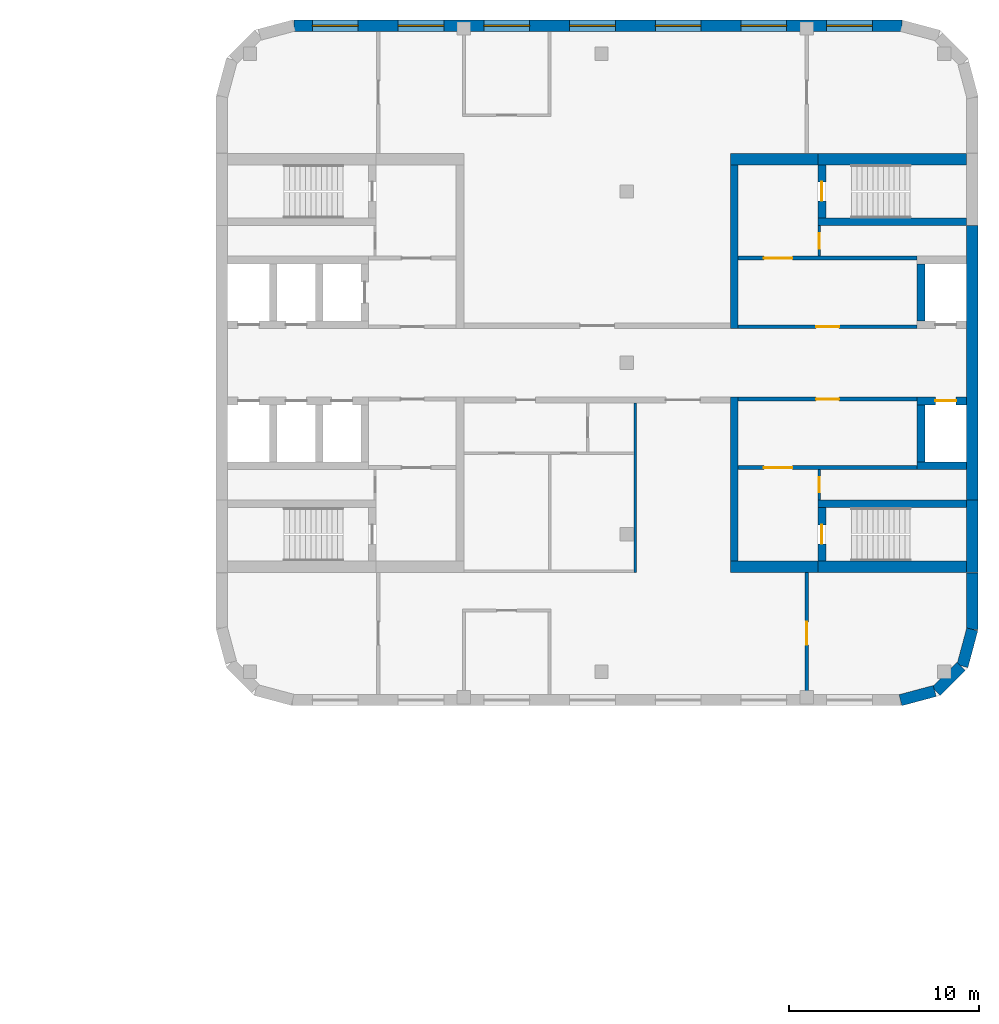
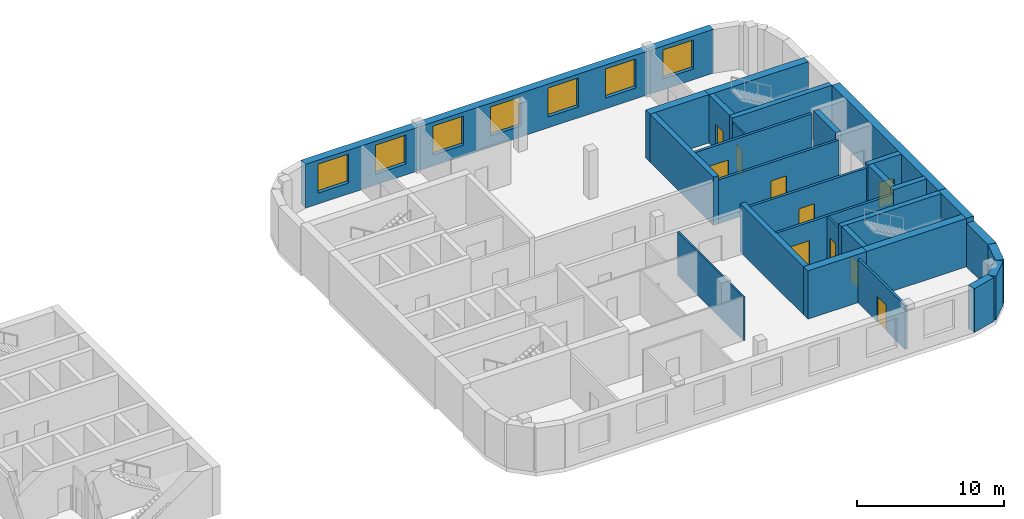
# One storey, part 9 of 16: 29 walls, 10 doors, 7 windows, 17 openings.
"""IFC4 building model written with IfcOpenShell, lengths in metres."""

import ifcopenshell
import ifcopenshell.guid

model = None  # the IFC model being written
_history = None  # IfcOwnerHistory: only IFC2X3 demands one
_inside = {}  # id of a spatial element -> (the spatial element, [elements in it])
_under = {}  # id of a project, library or spatial element -> (it, [spatial elements below it])
_declared = {}  # id of a project -> (the project, [libraries it declares])
_typed = {}  # id of a type object -> (the type object, [elements of that type])
_made_of = {}  # id of a material, layer set ... -> (it, [elements and type objects made of it])


def new_model(schema):
    """Start an empty IFC model of exactly this schema.

    Asked for "IFC4X3", IfcOpenShell would pick the latest addendum, in which some entities
    have other attributes; the version numbers below select the first issue.
    IFC2X3 requires an IfcOwnerHistory on every rooted entity: one is made here for all.
    """
    global model, _history
    if schema == "IFC4X3":
        model = ifcopenshell.file(schema_version=(4, 3, 0, 0))
    else:
        model = ifcopenshell.file(schema=schema)
    _inside.clear()
    _under.clear()
    _declared.clear()
    _typed.clear()
    _made_of.clear()
    _history = None
    if model.schema == "IFC2X3":
        org = make("IfcOrganization", Name="unknown")
        user = make(
            "IfcPersonAndOrganization",
            ThePerson=make("IfcPerson", FamilyName="unknown"),
            TheOrganization=org,
        )
        app = make(
            "IfcApplication",
            ApplicationDeveloper=org,
            Version="unknown",
            ApplicationFullName="unknown",
            ApplicationIdentifier="unknown",
        )
        _history = make(
            "IfcOwnerHistory",
            OwningUser=user,
            OwningApplication=app,
            ChangeAction="ADDED",
            CreationDate=0,
        )
    return model


def make(cls, **values):
    """One entity of the class cls with the attributes given. An attribute that is None is left unset."""
    return model.create_entity(
        cls, **{name: value for name, value in values.items() if value is not None}
    )


def rooted(cls, **values):
    """An entity with a GlobalId (a new one), such as an element, a storey or a relation."""
    return make(cls, GlobalId=ifcopenshell.guid.new(), OwnerHistory=_history, **values)


def si_unit(unit_type, name, prefix=None):
    """IfcSIUnit, for example si_unit("LENGTHUNIT", "METRE", prefix="MILLI")."""
    return make("IfcSIUnit", UnitType=unit_type, Prefix=prefix, Name=name)


def assignment(units):
    """IfcUnitAssignment: the units of a project."""
    return None if units is None else make("IfcUnitAssignment", Units=units)


def point(xyz):
    """IfcCartesianPoint."""
    return None if xyz is None else make("IfcCartesianPoint", Coordinates=xyz)


def direction(xyz):
    """IfcDirection."""
    return None if xyz is None else make("IfcDirection", DirectionRatios=xyz)


def frame(location, z_axis=None, x_axis=None):
    """IfcAxis2Placement3D, a coordinate frame: its origin and axes. An axis left out is left unset."""
    return make(
        "IfcAxis2Placement3D",
        Location=point(location),
        Axis=direction(z_axis),
        RefDirection=direction(x_axis),
    )


def frame_2d(location, x_axis=None):
    """IfcAxis2Placement2D, a coordinate frame in the plane: its origin and x axis."""
    return make(
        "IfcAxis2Placement2D", Location=point(location), RefDirection=direction(x_axis)
    )


def origin():
    """The frame at (0, 0, 0) with its axes left unset."""
    return frame((0.0, 0.0, 0.0))


def place(relative_to, where):
    """IfcLocalPlacement: puts the frame where relative to a parent placement (None: the world)."""
    return make(
        "IfcLocalPlacement", PlacementRelTo=relative_to, RelativePlacement=where
    )


def context(
    kind, dimensions, precision=None, world=None, true_north=None, identifier=None
):
    """IfcGeometricRepresentationContext, for example the 3D "Model" context."""
    return make(
        "IfcGeometricRepresentationContext",
        ContextIdentifier=identifier,
        ContextType=kind,
        CoordinateSpaceDimension=dimensions,
        Precision=precision,
        WorldCoordinateSystem=world,
        TrueNorth=true_north,
    )


def subcontext(parent, identifier, kind, view, scale=None):
    """IfcGeometricRepresentationSubContext, for example "Body" below "Model"."""
    return make(
        "IfcGeometricRepresentationSubContext",
        ContextIdentifier=identifier,
        ContextType=kind,
        ParentContext=parent,
        TargetScale=scale,
        TargetView=view,
    )


def project(units=None, contexts=None):
    """IfcProject with its units and contexts."""
    return rooted(
        "IfcProject",
        Name="project",
        RepresentationContexts=contexts,
        UnitsInContext=assignment(units),
    )


def spatial(cls, under=None, at=None, **own):
    """A site, building, storey or space (cls), placed at a placement, below another one or the project."""
    s = rooted(cls, ObjectPlacement=at, **own)
    if under is not None:
        _under.setdefault(under.id(), (under, []))[1].append(s)
    return s


def profile(cls, at=None, kind="AREA", **sizes):
    """A parametric profile (cls). Its sizes go by their IFC names, for example OverallWidth=200.0."""
    return make(cls, ProfileType=kind, Position=at, **sizes)


def rectangle(**sizes):
    """IfcRectangleProfileDef."""
    return profile("IfcRectangleProfileDef", **sizes)


def extrude(swept, where, along, depth):
    """IfcExtrudedAreaSolid: the profile swept, set in the frame where, extruded along a direction by depth."""
    return make(
        "IfcExtrudedAreaSolid",
        SweptArea=swept,
        Position=where,
        ExtrudedDirection=direction(along),
        Depth=depth,
    )


def shape(context_of_items, identifier, shape_type, items):
    """IfcShapeRepresentation: the items that make up one representation, for example the "Body"."""
    return make(
        "IfcShapeRepresentation",
        ContextOfItems=context_of_items,
        RepresentationIdentifier=identifier,
        RepresentationType=shape_type,
        Items=items,
    )


def material(Name=None, Category=None):
    """IfcMaterial."""
    return make("IfcMaterial", Name=Name, Category=Category)


def layer(
    of_material, thickness, ventilated=None, Name=None, Category=None, Priority=None
):
    """IfcMaterialLayer: one layer of a wall or slab, of a material (None: an air gap)."""
    return make(
        "IfcMaterialLayer",
        Material=of_material,
        LayerThickness=thickness,
        IsVentilated=ventilated,
        Name=Name,
        Category=Category,
        Priority=Priority,
    )


def layer_set(layers, Name=None):
    """IfcMaterialLayerSet."""
    return make("IfcMaterialLayerSet", MaterialLayers=layers, LayerSetName=Name)


def made_of(thing, what):
    """Note that an element or type object is made of a material, layer set ...; save() writes the relation."""
    if what is not None:
        _made_of.setdefault(what.id(), (what, []))[1].append(thing)
    return thing


def type_object(cls, material=None, **own):
    """A type object (cls), such as IfcWallType, which elements share."""
    return made_of(rooted(cls, **own), material)


def element(
    cls,
    number,
    at=None,
    inside=None,
    cuts=None,
    type_object=None,
    material=None,
    context=None,
    identifier="Body",
    shape_type=None,
    held_by="IfcProductDefinitionShape",
    body=None,
    shapes=None,
    **own,
):
    """One element of the class cls, such as IfcWall. Its Tag is "e" and its number.

    at: its placement. inside: the storey or other place that contains it. cuts: it is an
    opening in that element (IfcRelVoidsElement). A single representation is given by context,
    identifier, shape_type and body (its items); several are given by shapes. held_by: the class
    of the entity that holds the representations. save() writes the other relations.
    """
    e = rooted(cls, Tag="e%d" % number, ObjectPlacement=at, **own)
    if body is not None:
        shapes = [shape(context, identifier, shape_type, body)]
    if shapes is not None:
        e.Representation = make(held_by, Representations=shapes)
    if inside is not None:
        _inside.setdefault(inside.id(), (inside, []))[1].append(e)
    if cuts is not None:
        rooted(
            "IfcRelVoidsElement", RelatingBuildingElement=cuts, RelatedOpeningElement=e
        )
    if type_object is not None:
        _typed.setdefault(type_object.id(), (type_object, []))[1].append(e)
    return made_of(e, material)


def fill(opening, filler):
    """IfcRelFillsElement: the door or window that sits in an opening."""
    return rooted(
        "IfcRelFillsElement",
        RelatingOpeningElement=opening,
        RelatedBuildingElement=filler,
    )


def aggregate(whole, parts):
    """IfcRelAggregates: a whole, such as a stair, and the parts it consists of."""
    return rooted("IfcRelAggregates", RelatingObject=whole, RelatedObjects=parts)


def save(model, path):
    """Write the relations noted so far, then the file.

    IfcRelAggregates (storeys below a building ...), IfcRelContainedInSpatialStructure (elements
    in a storey), IfcRelDefinesByType, IfcRelAssociatesMaterial and IfcRelDeclares: one each for
    every whole, place, type object, material and project.
    """
    for whole, parts in _under.values():
        aggregate(whole, parts)
    for where, things in _inside.values():
        rooted(
            "IfcRelContainedInSpatialStructure",
            RelatedElements=things,
            RelatingStructure=where,
        )
    for kind, things in _typed.values():
        rooted("IfcRelDefinesByType", RelatedObjects=things, RelatingType=kind)
    for what, things in _made_of.values():
        rooted("IfcRelAssociatesMaterial", RelatedObjects=things, RelatingMaterial=what)
    for by, libraries in _declared.values():
        rooted("IfcRelDeclares", RelatingContext=by, RelatedDefinitions=libraries)
    model.write(path)


model = new_model("IFC4")

# Units and contexts
model_context = context("Model", 3, precision=1e-05, world=origin(), true_north=direction((0.0, 1.0)))
body_context = subcontext(model_context, "Body", "Model", "MODEL_VIEW")
ifc_project = project(units=[si_unit("LENGTHUNIT", "METRE"), si_unit("AREAUNIT", "SQUARE_METRE"), si_unit("VOLUMEUNIT", "CUBIC_METRE"), si_unit("PLANEANGLEUNIT", "RADIAN"), si_unit("MASSUNIT", "GRAM", prefix="KILO")], contexts=[model_context])

# Site, building, storey
site_placement = place(None, origin())
site = spatial("IfcSite", under=ifc_project, at=site_placement, CompositionType="ELEMENT")
building_placement = place(site_placement, origin())
building = spatial("IfcBuilding", under=site, at=building_placement, Name="Skarvind Civic Tower", CompositionType="ELEMENT")
storey_placement = place(building_placement, frame((0.0, 0.0, 67.5)))
storey = spatial("IfcBuildingStorey", under=building, at=storey_placement, Name="L15", CompositionType="ELEMENT", Elevation=67.5)

# Wall, opening, door
ifc_material_1 = material(Name="Acoustic gypsum board on steel studs", Category="steel")
ifc_layer_1 = layer(ifc_material_1, 0.175048828125)
ifc_layer_set_1 = layer_set([ifc_layer_1], Name="ACOUSTIC MEETING-ROOM PARTITION 175")
wall_type_1 = type_object("IfcWallType", Name="ACOUSTIC MEETING-ROOM PARTITION 175", PredefinedType="PARTITIONING", material=ifc_layer_set_1)
wall_1_placement = place(storey_placement, frame((158.0, 110.60009765625, 0.0), z_axis=(0.0, 0.0, 1.0), x_axis=(0.0, 1.0, 0.0)))
wall_1 = element("IfcWall", 1, at=wall_1_placement, inside=storey, type_object=wall_type_1, Name="Partition 15.016", PredefinedType="PARTITIONING", context=body_context, shape_type="SweptSolid", body=[
    extrude(rectangle(XDim=6.39990234375, YDim=0.175048828125, at=frame_2d((3.199951171875, 0.0))), origin(), (0.0, 0.0, 1.0), 3.625),
])
opening_1_placement = place(wall_1_placement, frame((2.60009765625, 0.0, 0.0)))
opening_1 = element("IfcOpeningElement", 2, at=opening_1_placement, cuts=wall_1, Name="Opening L15-D112", PredefinedType="OPENING", context=body_context, shape_type="SweptSolid", body=[
    extrude(rectangle(XDim=1.199951171875, YDim=2.10009765625, at=frame_2d((0.60009765625, 1.050048828125))), frame((0.0, 0.097412109375, 0.0), z_axis=(0.0, -1.0, 0.0), x_axis=(1.0, 0.0, 0.0)), (0.0, 0.0, 1.0), 0.195068359375),
])
ifc_material_2 = material(Name="Timber door leaf", Category="wood")
door_type_1 = type_object("IfcDoorType", Name="DOOR 1200X2100 DOUBLE TIMBER", OperationType="NOTDEFINED", PredefinedType="DOOR", material=ifc_material_2)
door_1_placement = place(opening_1_placement, origin())
door_1 = element("IfcDoor", 3, at=door_1_placement, inside=storey, type_object=door_type_1, Name="Door L15-D112", OperationType="DOUBLE_DOOR_SINGLE_SWING", OverallHeight=2.10009765625, OverallWidth=1.199951171875, PredefinedType="DOOR", context=body_context, shape_type="SweptSolid", body=[
    extrude(rectangle(XDim=1.199951171875, YDim=2.10009765625, at=frame_2d((0.60009765625, 1.050048828125))), frame((0.0, 0.02490234375, 0.0), z_axis=(0.0, -1.0, 0.0), x_axis=(1.0, 0.0, 0.0)), (0.0, 0.0, 1.0), 0.050048828125),
])
fill(opening_1, door_1)

ifc_material_3 = material(Name="Fire-rated masonry partition", Category="masonry")
ifc_layer_2 = layer(ifc_material_3, 0.199951171875)
ifc_layer_set_2 = layer_set([ifc_layer_2], Name="Core enclosure wall 200")
wall_type_2 = type_object("IfcWallType", Name="Core enclosure wall 200", PredefinedType="PARTITIONING", material=ifc_layer_set_2)
wall_2_placement = place(storey_placement, frame((163.800048828125, 126.10009765625, 0.0), z_axis=(0.0, 0.0, 1.0), x_axis=(-1.0, 0.0, 0.0)))
wall_2 = element("IfcWall", 4, at=wall_2_placement, inside=storey, type_object=wall_type_2, Name="Core wall CB", PredefinedType="PARTITIONING", context=body_context, shape_type="SweptSolid", body=[
    extrude(rectangle(XDim=9.400146484375, YDim=0.199951171875, at=frame_2d((4.7001953125, 0.0))), origin(), (0.0, 0.0, 1.0), 3.625),
])
opening_2_placement = place(wall_2_placement, frame((4.10009765625, 0.0, 0.0)))
opening_2 = element("IfcOpeningElement", 5, at=opening_2_placement, cuts=wall_2, Name="Opening D-L15-CB-03", PredefinedType="OPENING", context=body_context, shape_type="SweptSolid", body=[
    extrude(rectangle(XDim=1.199951171875, YDim=2.10009765625, at=frame_2d((0.60009765625, 1.050048828125))), frame((0.0, 0.10986328125, 0.0), z_axis=(0.0, -1.0, 0.0), x_axis=(1.0, 0.0, 0.0)), (0.0, 0.0, 1.0), 0.219970703125),
])
ifc_material_4 = material(Name="Fire-rated steel door", Category="steel")
door_type_2 = type_object("IfcDoorType", Name="Core lobby door 1200", OperationType="NOTDEFINED", PredefinedType="DOOR", material=ifc_material_4)
door_2_placement = place(opening_2_placement, origin())
door_2 = element("IfcDoor", 6, at=door_2_placement, inside=storey, type_object=door_type_2, Name="Fire door", OperationType="DOUBLE_DOOR_SINGLE_SWING", OverallHeight=2.10009765625, OverallWidth=1.199951171875, PredefinedType="DOOR", context=body_context, shape_type="SweptSolid", body=[
    extrude(rectangle(XDim=1.199951171875, YDim=2.10009765625, at=frame_2d((0.60009765625, 1.050048828125))), frame((0.0, 0.02490234375, 0.0), z_axis=(0.0, -1.0, 0.0), x_axis=(1.0, 0.0, 0.0)), (0.0, 0.0, 1.0), 0.050048828125),
])
fill(opening_2, door_2)

wall_3_placement = place(storey_placement, frame((163.800048828125, 122.5, 0.0), z_axis=(0.0, 0.0, 1.0), x_axis=(-1.0, 0.0, 0.0)))
wall_3 = element("IfcWall", 7, at=wall_3_placement, inside=storey, type_object=wall_type_2, Name="Core wall CB", PredefinedType="PARTITIONING", context=body_context, shape_type="SweptSolid", body=[
    extrude(rectangle(XDim=9.400146484375, YDim=0.199951171875, at=frame_2d((4.7001953125, 0.0))), origin(), (0.0, 0.0, 1.0), 3.625),
])
opening_3_placement = place(wall_3_placement, frame((6.550048828125, 0.0, 0.0)))
opening_3 = element("IfcOpeningElement", 8, at=opening_3_placement, cuts=wall_3, Name="Opening D-L15-CB-04", PredefinedType="OPENING", context=body_context, shape_type="SweptSolid", body=[
    extrude(rectangle(XDim=1.5, YDim=2.10009765625, at=frame_2d((0.75, 1.050048828125))), frame((0.0, 0.10986328125, 0.0), z_axis=(0.0, -1.0, 0.0), x_axis=(1.0, 0.0, 0.0)), (0.0, 0.0, 1.0), 0.219970703125),
])
door_type_3 = type_object("IfcDoorType", Name="Fire door 1500", OperationType="NOTDEFINED", PredefinedType="DOOR", material=ifc_material_4)
door_3_placement = place(opening_3_placement, origin())
door_3 = element("IfcDoor", 9, at=door_3_placement, inside=storey, type_object=door_type_3, Name="Fire door", OperationType="DOUBLE_DOOR_SINGLE_SWING", OverallHeight=2.10009765625, OverallWidth=1.5, PredefinedType="DOOR", context=body_context, shape_type="SweptSolid", body=[
    extrude(rectangle(XDim=1.5, YDim=2.10009765625, at=frame_2d((0.75, 1.050048828125))), frame((0.0, 0.02490234375, 0.0), z_axis=(0.0, -1.0, 0.0), x_axis=(1.0, 0.0, 0.0)), (0.0, 0.0, 1.0), 0.050048828125),
])
fill(opening_3, door_3)

wall_4_placement = place(storey_placement, frame((154.39990234375, 129.89990234375, 0.0), z_axis=(0.0, 0.0, 1.0), x_axis=(1.0, 0.0, 0.0)))
wall_4 = element("IfcWall", 10, at=wall_4_placement, inside=storey, type_object=wall_type_2, Name="Core wall CB", PredefinedType="PARTITIONING", context=body_context, shape_type="SweptSolid", body=[
    extrude(rectangle(XDim=9.400146484375, YDim=0.199951171875, at=frame_2d((4.7001953125, 0.0))), origin(), (0.0, 0.0, 1.0), 3.625),
])
opening_4_placement = place(wall_4_placement, frame((4.10009765625, 0.0, 0.0)))
opening_4 = element("IfcOpeningElement", 11, at=opening_4_placement, cuts=wall_4, Name="Opening D-L15-CB-07", PredefinedType="OPENING", context=body_context, shape_type="SweptSolid", body=[
    extrude(rectangle(XDim=1.199951171875, YDim=2.10009765625, at=frame_2d((0.60009765625, 1.050048828125))), frame((0.0, 0.10986328125, 0.0), z_axis=(0.0, -1.0, 0.0), x_axis=(1.0, 0.0, 0.0)), (0.0, 0.0, 1.0), 0.219970703125),
])
door_4_placement = place(opening_4_placement, origin())
door_4 = element("IfcDoor", 12, at=door_4_placement, inside=storey, type_object=door_type_2, Name="Fire door", OperationType="DOUBLE_DOOR_SINGLE_SWING", OverallHeight=2.10009765625, OverallWidth=1.199951171875, PredefinedType="DOOR", context=body_context, shape_type="SweptSolid", body=[
    extrude(rectangle(XDim=1.199951171875, YDim=2.10009765625, at=frame_2d((0.60009765625, 1.050048828125))), frame((0.0, 0.02490234375, 0.0), z_axis=(0.0, -1.0, 0.0), x_axis=(1.0, 0.0, 0.0)), (0.0, 0.0, 1.0), 0.050048828125),
])
fill(opening_4, door_4)

wall_5_placement = place(storey_placement, frame((154.39990234375, 133.5, 0.0), z_axis=(0.0, 0.0, 1.0), x_axis=(1.0, 0.0, 0.0)))
wall_5 = element("IfcWall", 13, at=wall_5_placement, inside=storey, type_object=wall_type_2, Name="Core wall CB", PredefinedType="PARTITIONING", context=body_context, shape_type="SweptSolid", body=[
    extrude(rectangle(XDim=9.400146484375, YDim=0.199951171875, at=frame_2d((4.7001953125, 0.0))), origin(), (0.0, 0.0, 1.0), 3.625),
])
opening_5_placement = place(wall_5_placement, frame((1.35009765625, 0.0, 0.0)))
opening_5 = element("IfcOpeningElement", 14, at=opening_5_placement, cuts=wall_5, Name="Opening D-L15-CB-08", PredefinedType="OPENING", context=body_context, shape_type="SweptSolid", body=[
    extrude(rectangle(XDim=1.5, YDim=2.10009765625, at=frame_2d((0.75, 1.050048828125))), frame((0.0, 0.10986328125, 0.0), z_axis=(0.0, -1.0, 0.0), x_axis=(1.0, 0.0, 0.0)), (0.0, 0.0, 1.0), 0.219970703125),
])
door_5_placement = place(opening_5_placement, origin())
door_5 = element("IfcDoor", 15, at=door_5_placement, inside=storey, type_object=door_type_3, Name="Fire door", OperationType="DOUBLE_DOOR_SINGLE_SWING", OverallHeight=2.10009765625, OverallWidth=1.5, PredefinedType="DOOR", context=body_context, shape_type="SweptSolid", body=[
    extrude(rectangle(XDim=1.5, YDim=2.10009765625, at=frame_2d((0.75, 1.050048828125))), frame((0.0, 0.02490234375, 0.0), z_axis=(0.0, -1.0, 0.0), x_axis=(1.0, 0.0, 0.0)), (0.0, 0.0, 1.0), 0.050048828125),
])
fill(opening_5, door_5)

# Wall
ifc_material_5 = material(Name="Concrete C80", Category="concrete")
ifc_layer_3 = layer(ifc_material_5, 0.39990234375)
ifc_layer_set_3 = layer_set([ifc_layer_3], Name="Core wall 400 C80")
wall_type_3 = type_object("IfcWallType", Name="Core wall 400 C80", PredefinedType="SHEAR", material=ifc_layer_set_3)
wall_6_placement = place(storey_placement, frame((166.39990234375, 135.39990234375, 0.0), z_axis=(0.0, 0.0, 1.0), x_axis=(-1.0, 0.0, 0.0)))
element("IfcWall", 16, at=wall_6_placement, inside=storey, type_object=wall_type_3, Name="Core wall CB south stair inner L15", PredefinedType="SHEAR", context=body_context, shape_type="SweptSolid", body=[
    extrude(rectangle(XDim=7.7998046875, YDim=0.39990234375, at=frame_2d((3.89990234375, 0.0))), origin(), (0.0, 0.0, 1.0), 4.0),
])

# Wall, opening, door
wall_7_placement = place(storey_placement, frame((158.800048828125, 138.39990234375, 0.0), z_axis=(0.0, 0.0, 1.0), x_axis=(0.0, -1.0, 0.0)))
wall_7 = element("IfcWall", 17, at=wall_7_placement, inside=storey, type_object=wall_type_3, Name="Core wall CB south stair end L15", PredefinedType="SHEAR", context=body_context, shape_type="SweptSolid", body=[
    extrude(rectangle(XDim=2.7998046875, YDim=0.39990234375, at=frame_2d((1.39990234375, 0.0))), origin(), (0.0, 0.0, 1.0), 4.0),
])
opening_6_placement = place(wall_7_placement, frame((0.89990234375, 0.0, 0.0)))
opening_6 = element("IfcOpeningElement", 18, at=opening_6_placement, cuts=wall_7, Name="Opening D-L15-CB-09", PredefinedType="OPENING", context=body_context, shape_type="SweptSolid", body=[
    extrude(rectangle(XDim=1.0, YDim=2.10009765625, at=frame_2d((0.5, 1.050048828125))), frame((0.0, 0.2099609375, 0.0), z_axis=(0.0, -1.0, 0.0), x_axis=(1.0, 0.0, 0.0)), (0.0, 0.0, 1.0), 0.419921875),
])
door_type_4 = type_object("IfcDoorType", Name="Fire door 1000", OperationType="NOTDEFINED", PredefinedType="DOOR", material=ifc_material_4)
door_6_placement = place(opening_6_placement, origin())
door_6 = element("IfcDoor", 19, at=door_6_placement, inside=storey, type_object=door_type_4, Name="Fire door", OperationType="SINGLE_SWING_RIGHT", OverallHeight=2.10009765625, OverallWidth=1.0, PredefinedType="DOOR", context=body_context, shape_type="SweptSolid", body=[
    extrude(rectangle(XDim=1.0, YDim=2.10009765625, at=frame_2d((0.5, 1.050048828125))), frame((0.0, 0.02490234375, 0.0), z_axis=(0.0, -1.0, 0.0), x_axis=(1.0, 0.0, 0.0)), (0.0, 0.0, 1.0), 0.050048828125),
])
fill(opening_6, door_6)

# Wall
wall_8_placement = place(storey_placement, frame((166.39990234375, 120.60009765625, 0.0), z_axis=(0.0, 0.0, 1.0), x_axis=(-1.0, 0.0, 0.0)))
element("IfcWall", 20, at=wall_8_placement, inside=storey, type_object=wall_type_3, Name="Core wall CB north stair inner L15", PredefinedType="SHEAR", context=body_context, shape_type="SweptSolid", body=[
    extrude(rectangle(XDim=7.7998046875, YDim=0.39990234375, at=frame_2d((3.89990234375, 0.0))), origin(), (0.0, 0.0, 1.0), 4.0),
])

# Wall, opening, door
wall_9_placement = place(storey_placement, frame((158.800048828125, 120.39990234375, 0.0), z_axis=(0.0, 0.0, 1.0), x_axis=(0.0, -1.0, 0.0)))
wall_9 = element("IfcWall", 21, at=wall_9_placement, inside=storey, type_object=wall_type_3, Name="Core wall CB north stair end L15", PredefinedType="SHEAR", context=body_context, shape_type="SweptSolid", body=[
    extrude(rectangle(XDim=2.7998046875, YDim=0.39990234375, at=frame_2d((1.39990234375, 0.0))), origin(), (0.0, 0.0, 1.0), 4.0),
])
opening_7_placement = place(wall_9_placement, frame((0.89990234375, 0.0, 0.0)))
opening_7 = element("IfcOpeningElement", 22, at=opening_7_placement, cuts=wall_9, Name="Opening D-L15-CB-05", PredefinedType="OPENING", context=body_context, shape_type="SweptSolid", body=[
    extrude(rectangle(XDim=1.0, YDim=2.10009765625, at=frame_2d((0.5, 1.050048828125))), frame((0.0, 0.2099609375, 0.0), z_axis=(0.0, -1.0, 0.0), x_axis=(1.0, 0.0, 0.0)), (0.0, 0.0, 1.0), 0.419921875),
])
door_7_placement = place(opening_7_placement, origin())
door_7 = element("IfcDoor", 23, at=door_7_placement, inside=storey, type_object=door_type_4, Name="Fire door", OperationType="SINGLE_SWING_LEFT", OverallHeight=2.10009765625, OverallWidth=1.0, PredefinedType="DOOR", context=body_context, shape_type="SweptSolid", body=[
    extrude(rectangle(XDim=1.0, YDim=2.10009765625, at=frame_2d((0.5, 1.050048828125))), frame((0.0, 0.02490234375, 0.0), z_axis=(0.0, -1.0, 0.0), x_axis=(1.0, 0.0, 0.0)), (0.0, 0.0, 1.0), 0.050048828125),
])
fill(opening_7, door_7)

# Wall
wall_10_placement = place(storey_placement, frame((164.0, 133.199951171875, 0.0), z_axis=(0.0, 0.0, 1.0), x_axis=(0.0, -1.0, 0.0)))
element("IfcWall", 24, at=wall_10_placement, inside=storey, type_object=wall_type_3, Name="Core wall CB south lift row division 1 L15", PredefinedType="SHEAR", context=body_context, shape_type="SweptSolid", body=[
    extrude(rectangle(XDim=3.0, YDim=0.39990234375, at=frame_2d((1.5, 0.0))), origin(), (0.0, 0.0, 1.0), 4.0),
])

# Wall, opening, door
wall_11_placement = place(storey_placement, frame((166.39990234375, 126.0, 0.0), z_axis=(0.0, 0.0, 1.0), x_axis=(-1.0, 0.0, 0.0)))
wall_11 = element("IfcWall", 25, at=wall_11_placement, inside=storey, type_object=wall_type_3, Name="Core wall CB north lift row front L15", PredefinedType="SHEAR", context=body_context, shape_type="SweptSolid", body=[
    extrude(rectangle(XDim=2.599853515625, YDim=0.39990234375, at=frame_2d((1.2998046875, 0.0))), origin(), (0.0, 0.0, 1.0), 4.0),
])
opening_8_placement = place(wall_11_placement, frame((0.550048828125, 0.0, 0.0)))
opening_8 = element("IfcOpeningElement", 26, at=opening_8_placement, cuts=wall_11, Name="Opening LD17401", PredefinedType="OPENING", context=body_context, shape_type="SweptSolid", body=[
    extrude(rectangle(XDim=1.10009765625, YDim=2.10009765625, at=frame_2d((0.550048828125, 1.050048828125))), frame((0.0, 0.2099609375, 0.0), z_axis=(0.0, -1.0, 0.0), x_axis=(1.0, 0.0, 0.0)), (0.0, 0.0, 1.0), 0.419921875),
])
ifc_material_6 = material(Name="Stainless steel landing door", Category="steel")
door_type_5 = type_object("IfcDoorType", Name="Lift landing door 1100", OperationType="DOUBLE_DOOR_SLIDING", PredefinedType="DOOR", material=ifc_material_6)
door_8_placement = place(opening_8_placement, origin())
door_8 = element("IfcDoor", 27, at=door_8_placement, inside=storey, type_object=door_type_5, Name="Lift landing door", OperationType="DOUBLE_DOOR_SLIDING", OverallHeight=2.10009765625, OverallWidth=1.10009765625, PredefinedType="DOOR", context=body_context, shape_type="SweptSolid", body=[
    extrude(rectangle(XDim=1.10009765625, YDim=2.10009765625, at=frame_2d((0.550048828125, 1.050048828125))), frame((0.0, 0.02490234375, 0.0), z_axis=(0.0, -1.0, 0.0), x_axis=(1.0, 0.0, 0.0)), (0.0, 0.0, 1.0), 0.050048828125),
])
fill(opening_8, door_8)

# Walls
wall_12_placement = place(storey_placement, frame((166.39990234375, 122.60009765625, 0.0), z_axis=(0.0, 0.0, 1.0), x_axis=(-1.0, 0.0, 0.0)))
element("IfcWall", 28, at=wall_12_placement, inside=storey, type_object=wall_type_3, Name="Core wall CB north lift row back L15", PredefinedType="SHEAR", context=body_context, shape_type="SweptSolid", body=[
    extrude(rectangle(XDim=2.599853515625, YDim=0.39990234375, at=frame_2d((1.2998046875, 0.0))), origin(), (0.0, 0.0, 1.0), 4.0),
])
wall_13_placement = place(storey_placement, frame((164.0, 125.800048828125, 0.0), z_axis=(0.0, 0.0, 1.0), x_axis=(0.0, -1.0, 0.0)))
element("IfcWall", 29, at=wall_13_placement, inside=storey, type_object=wall_type_3, Name="Core wall CB north lift row division 1 L15", PredefinedType="SHEAR", context=body_context, shape_type="SweptSolid", body=[
    extrude(rectangle(XDim=3.0, YDim=0.39990234375, at=frame_2d((1.5, 0.0))), origin(), (0.0, 0.0, 1.0), 4.0),
])
for number, where, z_axis, x_axis, name in (
    (30, (154.199951171875, 138.39990234375, 0.0), (0.0, 0.0, 1.0), (0.0, -1.0, 0.0), "Core wall CB south inner face L15"),
    (31, (154.199951171875, 126.199951171875, 0.0), (0.0, 0.0, 1.0), (0.0, -1.0, 0.0), "Core wall CB north inner face L15"),
):
    element("IfcWall", number, at=place(storey_placement, frame(where, z_axis=z_axis, x_axis=x_axis)), inside=storey, type_object=wall_type_3, Name=name, PredefinedType="SHEAR", context=body_context, shape_type="SweptSolid", body=[
        extrude(rectangle(XDim=8.599853515625, YDim=0.39990234375, at=frame_2d((4.2998046875, 0.0))), origin(), (0.0, 0.0, 1.0), 4.0),
    ])
ifc_layer_4 = layer(ifc_material_5, 0.60009765625)
ifc_layer_set_4 = layer_set([ifc_layer_4], Name="Core wall 600 C80")
wall_type_4 = type_object("IfcWallType", Name="Core wall 600 C80", PredefinedType="SHEAR", material=ifc_layer_set_4)
wall_14_placement = place(storey_placement, frame((166.699951171875, 135.199951171875, 0.0), z_axis=(0.0, 0.0, 1.0), x_axis=(0.0, -1.0, 0.0)))
element("IfcWall", 32, at=wall_14_placement, inside=storey, type_object=wall_type_4, Name="Core wall CB tip between the stairs L15", PredefinedType="SHEAR", context=body_context, shape_type="SweptSolid", body=[
    extrude(rectangle(XDim=14.39990234375, YDim=0.60009765625, at=frame_2d((7.199951171875, 0.0))), origin(), (0.0, 0.0, 1.0), 4.0),
])
wall_15_placement = place(storey_placement, frame((166.699951171875, 120.800048828125, 0.0), z_axis=(0.0, 0.0, 1.0), x_axis=(0.0, -1.0, 0.0)))
element("IfcWall", 33, at=wall_15_placement, inside=storey, type_object=wall_type_4, Name="Core wall CB tip at the north stair L15", PredefinedType="SHEAR", context=body_context, shape_type="SweptSolid", body=[
    extrude(rectangle(XDim=3.800048828125, YDim=0.60009765625, at=frame_2d((1.89990234375, 0.0))), origin(), (0.0, 0.0, 1.0), 4.0),
])
for number, where, z_axis, x_axis, name in (
    (34, (166.39990234375, 138.699951171875, 0.0), (0.0, 0.0, 1.0), (-1.0, 0.0, 0.0), "Core wall CB south side at the stair L15"),
    (35, (166.39990234375, 117.300048828125, 0.0), (0.0, 0.0, 1.0), (-1.0, 0.0, 0.0), "Core wall CB north side at the stair L15"),
):
    element("IfcWall", number, at=place(storey_placement, frame(where, z_axis=z_axis, x_axis=x_axis)), inside=storey, type_object=wall_type_4, Name=name, PredefinedType="SHEAR", context=body_context, shape_type="SweptSolid", body=[
        extrude(rectangle(XDim=7.7998046875, YDim=0.60009765625, at=frame_2d((3.89990234375, 0.0))), origin(), (0.0, 0.0, 1.0), 4.0),
    ])
for number, where, z_axis, x_axis, name in (
    (36, (158.60009765625, 138.699951171875, 0.0), (0.0, 0.0, 1.0), (-1.0, 0.0, 0.0), "Core wall CB south side L15"),
    (37, (158.60009765625, 117.300048828125, 0.0), (0.0, 0.0, 1.0), (-1.0, 0.0, 0.0), "Core wall CB north side L15"),
):
    element("IfcWall", number, at=place(storey_placement, frame(where, z_axis=z_axis, x_axis=x_axis)), inside=storey, type_object=wall_type_4, Name=name, PredefinedType="SHEAR", context=body_context, shape_type="SweptSolid", body=[
        extrude(rectangle(XDim=4.60009765625, YDim=0.60009765625, at=frame_2d((2.300048828125, 0.0))), origin(), (0.0, 0.0, 1.0), 4.0),
    ])

# Wall, opening, door
ifc_layer_5 = layer(ifc_material_3, 0.125)
ifc_layer_set_5 = layer_set([ifc_layer_5], Name="Riser wall 125")
wall_type_5 = type_object("IfcWallType", Name="Riser wall 125", PredefinedType="PARTITIONING", material=ifc_layer_set_5)
wall_16_placement = place(storey_placement, frame((158.66259765625, 120.800048828125, 0.0), z_axis=(0.0, 0.0, 1.0), x_axis=(0.0, 1.0, 0.0)))
wall_16 = element("IfcWall", 38, at=wall_16_placement, inside=storey, type_object=wall_type_5, Name="Core wall CB", PredefinedType="PARTITIONING", context=body_context, shape_type="SweptSolid", body=[
    extrude(rectangle(XDim=1.599853515625, YDim=0.125, at=frame_2d((0.7998046875, 0.0))), origin(), (0.0, 0.0, 1.0), 3.625),
])
opening_9_placement = place(wall_16_placement, frame((0.39990234375, 0.0, 0.0)))
opening_9 = element("IfcOpeningElement", 39, at=opening_9_placement, cuts=wall_16, Name="Opening D-L15-CB-06", PredefinedType="OPENING", context=body_context, shape_type="SweptSolid", body=[
    extrude(rectangle(XDim=0.800048828125, YDim=2.10009765625, at=frame_2d((0.39990234375, 1.050048828125))), frame((0.0, 0.072509765625, 0.0), z_axis=(0.0, -1.0, 0.0), x_axis=(1.0, 0.0, 0.0)), (0.0, 0.0, 1.0), 0.14501953125),
])
door_type_6 = type_object("IfcDoorType", Name="Core riser door 800", OperationType="NOTDEFINED", PredefinedType="DOOR", material=ifc_material_4)
door_9_placement = place(opening_9_placement, origin())
door_9 = element("IfcDoor", 40, at=door_9_placement, inside=storey, type_object=door_type_6, Name="Riser door", OperationType="SINGLE_SWING_RIGHT", OverallHeight=2.10009765625, OverallWidth=0.800048828125, PredefinedType="DOOR", context=body_context, shape_type="SweptSolid", body=[
    extrude(rectangle(XDim=0.800048828125, YDim=2.10009765625, at=frame_2d((0.39990234375, 1.050048828125))), frame((0.0, 0.02490234375, 0.0), z_axis=(0.0, -1.0, 0.0), x_axis=(1.0, 0.0, 0.0)), (0.0, 0.0, 1.0), 0.050048828125),
])
fill(opening_9, door_9)

wall_17_placement = place(storey_placement, frame((158.66259765625, 133.60009765625, 0.0), z_axis=(0.0, 0.0, 1.0), x_axis=(0.0, 1.0, 0.0)))
wall_17 = element("IfcWall", 41, at=wall_17_placement, inside=storey, type_object=wall_type_5, Name="Core wall CB", PredefinedType="PARTITIONING", context=body_context, shape_type="SweptSolid", body=[
    extrude(rectangle(XDim=1.599853515625, YDim=0.125, at=frame_2d((0.7998046875, 0.0))), origin(), (0.0, 0.0, 1.0), 3.625),
])
opening_10_placement = place(wall_17_placement, frame((0.39990234375, 0.0, 0.0)))
opening_10 = element("IfcOpeningElement", 42, at=opening_10_placement, cuts=wall_17, Name="Opening D-L15-CB-10", PredefinedType="OPENING", context=body_context, shape_type="SweptSolid", body=[
    extrude(rectangle(XDim=0.800048828125, YDim=2.10009765625, at=frame_2d((0.39990234375, 1.050048828125))), frame((0.0, 0.072509765625, 0.0), z_axis=(0.0, -1.0, 0.0), x_axis=(1.0, 0.0, 0.0)), (0.0, 0.0, 1.0), 0.14501953125),
])
door_10_placement = place(opening_10_placement, origin())
door_10 = element("IfcDoor", 43, at=door_10_placement, inside=storey, type_object=door_type_6, Name="Riser door", OperationType="SINGLE_SWING_LEFT", OverallHeight=2.10009765625, OverallWidth=0.800048828125, PredefinedType="DOOR", context=body_context, shape_type="SweptSolid", body=[
    extrude(rectangle(XDim=0.800048828125, YDim=2.10009765625, at=frame_2d((0.39990234375, 1.050048828125))), frame((0.0, 0.02490234375, 0.0), z_axis=(0.0, -1.0, 0.0), x_axis=(1.0, 0.0, 0.0)), (0.0, 0.0, 1.0), 0.050048828125),
])
fill(opening_10, door_10)

# Wall
ifc_material_7 = material(Name="Moisture-resistant gypsum board on steel studs", Category="steel")
ifc_layer_6 = layer(ifc_material_7, 0.125)
ifc_layer_set_6 = layer_set([ifc_layer_6], Name="WC PARTITION 125")
wall_type_6 = type_object("IfcWallType", Name="WC PARTITION 125", PredefinedType="PARTITIONING", material=ifc_layer_set_6)
wall_18_placement = place(storey_placement, frame((149.0, 116.988037109375, 0.0), z_axis=(0.0, 0.0, 1.0), x_axis=(0.0, 1.0, 0.0)))
element("IfcWall", 44, at=wall_18_placement, inside=storey, type_object=wall_type_6, Name="Partition 15.014", PredefinedType="PARTITIONING", context=body_context, shape_type="SweptSolid", body=[
    extrude(rectangle(XDim=8.911865234375, YDim=0.125, at=frame_2d((4.4560546875, 0.0))), origin(), (0.0, 0.0, 1.0), 3.625),
])

# Wall, openings, windows
ifc_material_8 = material(Name="Limestone masonry cladding on insulated backing", Category="masonry")
ifc_layer_7 = layer(ifc_material_8, 0.60009765625)
ifc_layer_set_7 = layer_set([ifc_layer_7], Name="WX1 STONE FACADE WALL 600")
wall_type_7 = type_object("IfcWallType", Name="WX1 STONE FACADE WALL 600", PredefinedType="SOLIDWALL", material=ifc_layer_set_7)
wall_19_placement = place(storey_placement, frame((131.070068359375, 145.699951171875, 0.0), z_axis=(0.0, 0.0, 1.0), x_axis=(1.0, 0.0, 0.0)))
wall_19 = element("IfcWall", 45, at=wall_19_placement, inside=storey, type_object=wall_type_7, Name="STONE FACADE WALL", PredefinedType="SOLIDWALL", context=body_context, shape_type="SweptSolid", body=[
    extrude(rectangle(XDim=31.929931640625, YDim=0.60009765625, at=frame_2d((15.96484375, 0.0))), origin(), (0.0, 0.0, 1.0), 3.625),
])
opening_11_placement = place(wall_19_placement, frame((0.97998046875, 0.0, 0.89990234375)))
opening_11 = element("IfcOpeningElement", 46, at=opening_11_placement, cuts=wall_19, Name="Opening WN9", PredefinedType="OPENING", context=body_context, shape_type="SweptSolid", body=[
    extrude(rectangle(XDim=2.39990234375, YDim=2.39990234375, at=frame_2d((1.199951171875, 1.199951171875))), frame((0.0, 0.31005859375, 0.0), z_axis=(0.0, -1.0, 0.0), x_axis=(1.0, 0.0, 0.0)), (0.0, 0.0, 1.0), 0.6201171875),
])
opening_12_placement = place(wall_19_placement, frame((5.47998046875, 0.0, 0.89990234375)))
opening_12 = element("IfcOpeningElement", 47, at=opening_12_placement, cuts=wall_19, Name="Opening WN9", PredefinedType="OPENING", context=body_context, shape_type="SweptSolid", body=[
    extrude(rectangle(XDim=2.39990234375, YDim=2.39990234375, at=frame_2d((1.199951171875, 1.199951171875))), frame((0.0, 0.31005859375, 0.0), z_axis=(0.0, -1.0, 0.0), x_axis=(1.0, 0.0, 0.0)), (0.0, 0.0, 1.0), 0.6201171875),
])
opening_13_placement = place(wall_19_placement, frame((9.97998046875, 0.0, 0.89990234375)))
opening_13 = element("IfcOpeningElement", 48, at=opening_13_placement, cuts=wall_19, Name="Opening WN9", PredefinedType="OPENING", context=body_context, shape_type="SweptSolid", body=[
    extrude(rectangle(XDim=2.39990234375, YDim=2.39990234375, at=frame_2d((1.199951171875, 1.199951171875))), frame((0.0, 0.31005859375, 0.0), z_axis=(0.0, -1.0, 0.0), x_axis=(1.0, 0.0, 0.0)), (0.0, 0.0, 1.0), 0.6201171875),
])
opening_14_placement = place(wall_19_placement, frame((14.47998046875, 0.0, 0.89990234375)))
opening_14 = element("IfcOpeningElement", 49, at=opening_14_placement, cuts=wall_19, Name="Opening WN9", PredefinedType="OPENING", context=body_context, shape_type="SweptSolid", body=[
    extrude(rectangle(XDim=2.39990234375, YDim=2.39990234375, at=frame_2d((1.199951171875, 1.199951171875))), frame((0.0, 0.31005859375, 0.0), z_axis=(0.0, -1.0, 0.0), x_axis=(1.0, 0.0, 0.0)), (0.0, 0.0, 1.0), 0.6201171875),
])
opening_15_placement = place(wall_19_placement, frame((18.97998046875, 0.0, 0.89990234375)))
opening_15 = element("IfcOpeningElement", 50, at=opening_15_placement, cuts=wall_19, Name="Opening WN9", PredefinedType="OPENING", context=body_context, shape_type="SweptSolid", body=[
    extrude(rectangle(XDim=2.39990234375, YDim=2.39990234375, at=frame_2d((1.199951171875, 1.199951171875))), frame((0.0, 0.31005859375, 0.0), z_axis=(0.0, -1.0, 0.0), x_axis=(1.0, 0.0, 0.0)), (0.0, 0.0, 1.0), 0.6201171875),
])
opening_16_placement = place(wall_19_placement, frame((23.47998046875, 0.0, 0.89990234375)))
opening_16 = element("IfcOpeningElement", 51, at=opening_16_placement, cuts=wall_19, Name="Opening WN9", PredefinedType="OPENING", context=body_context, shape_type="SweptSolid", body=[
    extrude(rectangle(XDim=2.39990234375, YDim=2.39990234375, at=frame_2d((1.199951171875, 1.199951171875))), frame((0.0, 0.31005859375, 0.0), z_axis=(0.0, -1.0, 0.0), x_axis=(1.0, 0.0, 0.0)), (0.0, 0.0, 1.0), 0.6201171875),
])
opening_17_placement = place(wall_19_placement, frame((27.97998046875, 0.0, 0.89990234375)))
opening_17 = element("IfcOpeningElement", 52, at=opening_17_placement, cuts=wall_19, Name="Opening WN9", PredefinedType="OPENING", context=body_context, shape_type="SweptSolid", body=[
    extrude(rectangle(XDim=2.39990234375, YDim=2.39990234375, at=frame_2d((1.199951171875, 1.199951171875))), frame((0.0, 0.31005859375, 0.0), z_axis=(0.0, -1.0, 0.0), x_axis=(1.0, 0.0, 0.0)), (0.0, 0.0, 1.0), 0.6201171875),
])
ifc_material_9 = material(Name="Timber frame, double glazing, timber-lined reveal", Category="wood")
window_type = type_object("IfcWindowType", Name="WN9 COMPANION TOWER WINDOW 2400 x 2400", PartitioningType="SINGLE_PANEL", PredefinedType="WINDOW", material=ifc_material_9)
window_1_placement = place(opening_11_placement, origin())
window_1 = element("IfcWindow", 53, at=window_1_placement, inside=storey, type_object=window_type, Name="WN9 WINDOW", OverallHeight=2.39990234375, OverallWidth=2.39990234375, PartitioningType="SINGLE_PANEL", PredefinedType="WINDOW", context=body_context, shape_type="SweptSolid", body=[
    extrude(rectangle(XDim=2.39990234375, YDim=2.39990234375, at=frame_2d((1.199951171875, 1.199951171875))), frame((0.0, 0.030029296875, 0.0), z_axis=(0.0, -1.0, 0.0), x_axis=(1.0, 0.0, 0.0)), (0.0, 0.0, 1.0), 0.06005859375),
])
fill(opening_11, window_1)
window_2_placement = place(opening_12_placement, origin())
window_2 = element("IfcWindow", 54, at=window_2_placement, inside=storey, type_object=window_type, Name="WN9 WINDOW", OverallHeight=2.39990234375, OverallWidth=2.39990234375, PartitioningType="SINGLE_PANEL", PredefinedType="WINDOW", context=body_context, shape_type="SweptSolid", body=[
    extrude(rectangle(XDim=2.39990234375, YDim=2.39990234375, at=frame_2d((1.199951171875, 1.199951171875))), frame((0.0, 0.030029296875, 0.0), z_axis=(0.0, -1.0, 0.0), x_axis=(1.0, 0.0, 0.0)), (0.0, 0.0, 1.0), 0.06005859375),
])
fill(opening_12, window_2)
window_3_placement = place(opening_13_placement, origin())
window_3 = element("IfcWindow", 55, at=window_3_placement, inside=storey, type_object=window_type, Name="WN9 WINDOW", OverallHeight=2.39990234375, OverallWidth=2.39990234375, PartitioningType="SINGLE_PANEL", PredefinedType="WINDOW", context=body_context, shape_type="SweptSolid", body=[
    extrude(rectangle(XDim=2.39990234375, YDim=2.39990234375, at=frame_2d((1.199951171875, 1.199951171875))), frame((0.0, 0.030029296875, 0.0), z_axis=(0.0, -1.0, 0.0), x_axis=(1.0, 0.0, 0.0)), (0.0, 0.0, 1.0), 0.06005859375),
])
fill(opening_13, window_3)
window_4_placement = place(opening_14_placement, origin())
window_4 = element("IfcWindow", 56, at=window_4_placement, inside=storey, type_object=window_type, Name="WN9 WINDOW", OverallHeight=2.39990234375, OverallWidth=2.39990234375, PartitioningType="SINGLE_PANEL", PredefinedType="WINDOW", context=body_context, shape_type="SweptSolid", body=[
    extrude(rectangle(XDim=2.39990234375, YDim=2.39990234375, at=frame_2d((1.199951171875, 1.199951171875))), frame((0.0, 0.030029296875, 0.0), z_axis=(0.0, -1.0, 0.0), x_axis=(1.0, 0.0, 0.0)), (0.0, 0.0, 1.0), 0.06005859375),
])
fill(opening_14, window_4)
window_5_placement = place(opening_15_placement, origin())
window_5 = element("IfcWindow", 57, at=window_5_placement, inside=storey, type_object=window_type, Name="WN9 WINDOW", OverallHeight=2.39990234375, OverallWidth=2.39990234375, PartitioningType="SINGLE_PANEL", PredefinedType="WINDOW", context=body_context, shape_type="SweptSolid", body=[
    extrude(rectangle(XDim=2.39990234375, YDim=2.39990234375, at=frame_2d((1.199951171875, 1.199951171875))), frame((0.0, 0.030029296875, 0.0), z_axis=(0.0, -1.0, 0.0), x_axis=(1.0, 0.0, 0.0)), (0.0, 0.0, 1.0), 0.06005859375),
])
fill(opening_15, window_5)
window_6_placement = place(opening_16_placement, origin())
window_6 = element("IfcWindow", 58, at=window_6_placement, inside=storey, type_object=window_type, Name="WN9 WINDOW", OverallHeight=2.39990234375, OverallWidth=2.39990234375, PartitioningType="SINGLE_PANEL", PredefinedType="WINDOW", context=body_context, shape_type="SweptSolid", body=[
    extrude(rectangle(XDim=2.39990234375, YDim=2.39990234375, at=frame_2d((1.199951171875, 1.199951171875))), frame((0.0, 0.030029296875, 0.0), z_axis=(0.0, -1.0, 0.0), x_axis=(1.0, 0.0, 0.0)), (0.0, 0.0, 1.0), 0.06005859375),
])
fill(opening_16, window_6)
window_7_placement = place(opening_17_placement, origin())
window_7 = element("IfcWindow", 59, at=window_7_placement, inside=storey, type_object=window_type, Name="WN9 WINDOW", OverallHeight=2.39990234375, OverallWidth=2.39990234375, PartitioningType="SINGLE_PANEL", PredefinedType="WINDOW", context=body_context, shape_type="SweptSolid", body=[
    extrude(rectangle(XDim=2.39990234375, YDim=2.39990234375, at=frame_2d((1.199951171875, 1.199951171875))), frame((0.0, 0.030029296875, 0.0), z_axis=(0.0, -1.0, 0.0), x_axis=(1.0, 0.0, 0.0)), (0.0, 0.0, 1.0), 0.06005859375),
])
fill(opening_17, window_7)

# Walls
for number, where, z_axis, x_axis, name in (
    (60, (164.719482421875, 110.771240234375, 0.0), (0.0, 0.0, 1.0), (-0.965938094805, -0.258773254036, 0.0), "STONE FACADE WALL"),
    (61, (166.103515625, 112.063720703125, 0.0), (0.0, 0.0, 1.0), (-0.707106781187, -0.707106781187, 0.0), "STONE FACADE WALL"),
):
    element("IfcWall", number, at=place(storey_placement, frame(where, z_axis=z_axis, x_axis=x_axis)), inside=storey, type_object=wall_type_7, Name=name, PredefinedType="SOLIDWALL", context=body_context, shape_type="SweptSolid", body=[
        extrude(rectangle(XDim=1.860595703125, YDim=0.60009765625, at=frame_2d((0.93017578125, 0.0))), origin(), (0.0, 0.0, 1.0), 3.625),
    ])
wall_20_placement = place(storey_placement, frame((166.692138671875, 114.010009765625, 0.0), z_axis=(0.0, 0.0, 1.0), x_axis=(-0.258839784042, -0.965920269068, 0.0)))
element("IfcWall", 62, at=wall_20_placement, inside=storey, type_object=wall_type_7, Name="STONE FACADE WALL", PredefinedType="SOLIDWALL", context=body_context, shape_type="SweptSolid", body=[
    extrude(rectangle(XDim=2.00048828125, YDim=0.60009765625, at=frame_2d((1.000244140625, 0.0))), origin(), (0.0, 0.0, 1.0), 3.625),
])
wall_21_placement = place(storey_placement, frame((166.699951171875, 116.97998046875, 0.0), z_axis=(0.0, 0.0, 1.0), x_axis=(0.0, -1.0, 0.0)))
element("IfcWall", 63, at=wall_21_placement, inside=storey, type_object=wall_type_7, Name="STONE FACADE WALL", PredefinedType="SOLIDWALL", context=body_context, shape_type="SweptSolid", body=[
    extrude(rectangle(XDim=2.97998046875, YDim=0.60009765625, at=frame_2d((1.489990234375, 0.0))), origin(), (0.0, 0.0, 1.0), 3.625),
])

save(model, "model.ifc")
